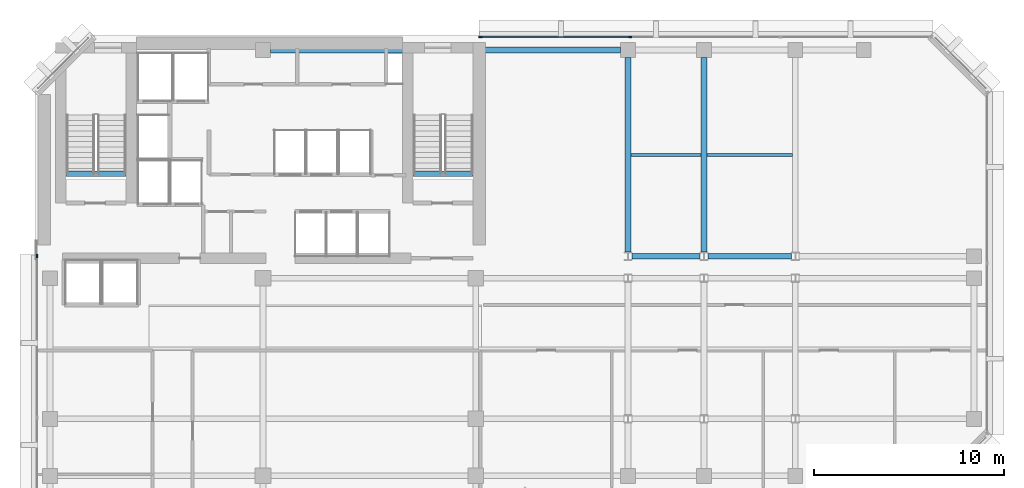
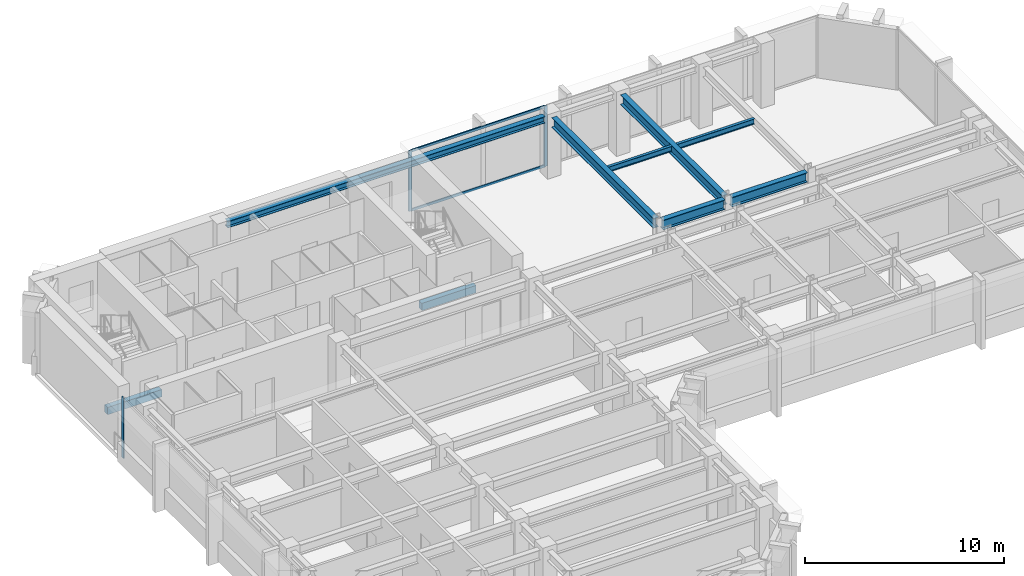
# One storey, part 4 of 11: 9 beams, 5 members, 2 elements without a shape of their own.
"""IFC4 building model written with IfcOpenShell, lengths in metres."""

from ifc_helpers import new_model, si_unit, direction, frame, origin, origin_2d, place, context, subcontext, project, spatial, rectangle, i_section, extrude, material, layer, layer_set, material_profile, profile_set, type_object, element, aggregate, save


model = new_model("IFC4")

# Units and contexts
model_context = context("Model", 3, precision=1e-05, world=origin(), true_north=direction((0.0, 1.0)))
body_context = subcontext(model_context, "Body", "Model", "MODEL_VIEW")
ifc_project = project(units=[si_unit("LENGTHUNIT", "METRE"), si_unit("AREAUNIT", "SQUARE_METRE"), si_unit("VOLUMEUNIT", "CUBIC_METRE"), si_unit("PLANEANGLEUNIT", "RADIAN"), si_unit("MASSUNIT", "GRAM", prefix="KILO")], contexts=[model_context])

# Site, building, storey
site_placement = place(None, origin())
site = spatial("IfcSite", under=ifc_project, at=site_placement, CompositionType="ELEMENT")
building_placement = place(site_placement, origin())
building = spatial("IfcBuilding", under=site, at=building_placement, Name="Kefirva Bronze Tower", CompositionType="ELEMENT")
storey_placement = place(building_placement, frame((0.0, 0.0, 191.39990234375)))
storey = spatial("IfcBuildingStorey", under=building, at=storey_placement, Name="L46", CompositionType="ELEMENT", Elevation=191.39990234375)

# Curtain wall, members
ifc_material_1 = material(Name="Bronze anodised aluminium", Category="aluminium")
ifc_layer = layer(ifc_material_1, 0.179931640625, Name="Bronze anodised aluminium")
ifc_layer_set = layer_set([ifc_layer], Name="Bronze anodised aluminium")
curtain_wall_type = type_object("IfcCurtainWallType", Name="Unitised Bronze Ribbon Curtain Wall Zone 3", PredefinedType="USERDEFINED", material=ifc_layer_set)
curtain_wall_1_placement = place(storey_placement, origin())
curtain_wall_1 = element("IfcCurtainWall", 1, at=curtain_wall_1_placement, inside=storey, type_object=curtain_wall_type, Name="L46 Curtain Wall 3", ObjectType="UNITISED CURTAIN WALL", PredefinedType="USERDEFINED")
ifc_material_profile_1 = material_profile(ifc_material_1, rectangle(XDim=0.074951171875, YDim=0.179931640625, at=origin_2d()), Name="ALU 75x180")
ifc_profile_set_1 = profile_set([ifc_material_profile_1], Name="Bronze anodised aluminium")
member_type_1 = type_object("IfcMemberType", Name="Bronze Mullion 75x180", PredefinedType="MULLION", material=ifc_profile_set_1)
member_1_placement = place(storey_placement, frame((31.318359375, 45.8798828125, 0.0), z_axis=(0.0, 0.0, 1.0), x_axis=(0.0, -1.0, 0.0)))
member_1 = element("IfcMember", 2, at=member_1_placement, type_object=member_type_1, Name="CW-03 mullion 3", PredefinedType="MULLION", context=body_context, shape_type="SweptSolid", body=[
    extrude(rectangle(XDim=0.074951171875, YDim=0.179931640625, at=origin_2d()), origin(), (0.0, 0.0, 1.0), 3.710205078125),
])
member_2_placement = place(storey_placement, frame((23.4423828125, 45.8798828125, 0.0), z_axis=(0.0, 0.0, 1.0), x_axis=(0.0, -1.0, 0.0)))
member_2 = element("IfcMember", 3, at=member_2_placement, type_object=member_type_1, Name="CW-03 mullion 4", PredefinedType="MULLION", context=body_context, shape_type="SweptSolid", body=[
    extrude(rectangle(XDim=0.074951171875, YDim=0.179931640625, at=origin_2d()), origin(), (0.0, 0.0, 1.0), 3.710205078125),
])

# Curtain wall, member
curtain_wall_2_placement = place(storey_placement, origin())
curtain_wall_2 = element("IfcCurtainWall", 4, at=curtain_wall_2_placement, inside=storey, type_object=curtain_wall_type, Name="L46 Curtain Wall 4", ObjectType="UNITISED CURTAIN WALL", PredefinedType="USERDEFINED")
member_3_placement = place(storey_placement, frame((0.1201171875, 34.357421875, 0.0), z_axis=(0.0, 0.0, 1.0), x_axis=(1.0, 0.0, 0.0)))
member_3 = element("IfcMember", 5, at=member_3_placement, type_object=member_type_1, Name="CW-03 mullion 1", PredefinedType="MULLION", context=body_context, shape_type="SweptSolid", body=[
    extrude(rectangle(XDim=0.074951171875, YDim=0.179931640625, at=origin_2d()), origin(), (0.0, 0.0, 1.0), 3.710205078125),
])
aggregate(curtain_wall_2, [member_3])

# Member
ifc_material_profile_2 = material_profile(ifc_material_1, rectangle(XDim=0.074951171875, YDim=0.14990234375, at=origin_2d()), Name="ALU 75x150")
ifc_profile_set_2 = profile_set([ifc_material_profile_2], Name="Bronze anodised aluminium")
member_type_2 = type_object("IfcMemberType", Name="Bronze Transom 75x150", PredefinedType="USERDEFINED", material=ifc_profile_set_2)
member_4_placement = place(storey_placement, frame((31.28076171875, 45.8798828125, 0.03759765625), z_axis=(-1.0, 0.0, 0.0), x_axis=(0.0, -1.0, 0.0)))
member_4 = element("IfcMember", 6, at=member_4_placement, type_object=member_type_2, Name="CW-03 transom 3.1", ObjectType="TRANSOM", PredefinedType="USERDEFINED", context=body_context, shape_type="SweptSolid", body=[
    extrude(rectangle(XDim=0.074951171875, YDim=0.14990234375, at=origin_2d()), origin(), (0.0, 0.0, 1.0), 7.80078125),
])

member_5_placement = place(storey_placement, frame((31.28076171875, 45.8798828125, 3.672607421875), z_axis=(-1.0, 0.0, 0.0), x_axis=(0.0, -1.0, 0.0)))
member_5 = element("IfcMember", 7, at=member_5_placement, type_object=member_type_2, Name="CW-03 transom 3.2", ObjectType="TRANSOM", PredefinedType="USERDEFINED", context=body_context, shape_type="SweptSolid", body=[
    extrude(rectangle(XDim=0.074951171875, YDim=0.14990234375, at=origin_2d()), origin(), (0.0, 0.0, 1.0), 7.80078125),
])

aggregate(curtain_wall_1, [member_1, member_2, member_4, member_5])

# Beams
ifc_material_2 = material(Name="Concrete C50/60", Category="concrete")
ifc_material_profile_3 = material_profile(ifc_material_2, rectangle(XDim=0.300048828125, YDim=0.449951171875, at=origin_2d()), Name="RC 300x450")
ifc_profile_set_3 = profile_set([ifc_material_profile_3], Name="Concrete C50/60")
beam_type_1 = type_object("IfcBeamType", Name="RC Stair Trimmer Beam 300x450", PredefinedType="BEAM", material=ifc_profile_set_3)
beam_1_placement = place(storey_placement, frame((1.64501953125, 38.699951171875, -0.224853515625), z_axis=(1.0, 0.0, 0.0), x_axis=(0.0, 1.0, 0.0)))
element("IfcBeam", 8, at=beam_1_placement, inside=storey, type_object=beam_type_1, Name="L46 Stair 1 Landing Trimmer Beam", PredefinedType="BEAM", context=body_context, shape_type="SweptSolid", body=[
    extrude(rectangle(XDim=0.300048828125, YDim=0.449951171875, at=origin_2d()), origin(), (0.0, 0.0, 1.0), 3.14990234375),
])
beam_2_placement = place(storey_placement, frame((19.89501953125, 38.699951171875, -0.224853515625), z_axis=(1.0, 0.0, 0.0), x_axis=(0.0, 1.0, 0.0)))
element("IfcBeam", 9, at=beam_2_placement, inside=storey, type_object=beam_type_1, Name="L46 Stair 2 Landing Trimmer Beam", PredefinedType="BEAM", context=body_context, shape_type="SweptSolid", body=[
    extrude(rectangle(XDim=0.300048828125, YDim=0.449951171875, at=origin_2d()), origin(), (0.0, 0.0, 1.0), 3.159912109375),
])
ifc_material_3 = material(Name="Steel S355", Category="steel")
ifc_material_profile_4 = material_profile(ifc_material_3, i_section(OverallWidth=0.159912109375, OverallDepth=0.330078125, WebThickness=0.007568359375, FlangeThickness=0.011474609375, at=origin_2d()), Name="IPE 330")
ifc_profile_set_4 = profile_set([ifc_material_profile_4], Name="Steel S355")
beam_type_2 = type_object("IfcBeamType", Name="Steel Floor Joist IPE 330", PredefinedType="JOIST", material=ifc_profile_set_4)
beam_3_placement = place(storey_placement, frame((31.35009765625, 39.688720703125, 3.545166015625), z_axis=(1.0, 0.0, 0.0), x_axis=(0.0, 1.0, 0.0)))
element("IfcBeam", 10, at=beam_3_placement, inside=storey, type_object=beam_type_2, Name="L46 JST-L46-31-396", PredefinedType="JOIST", context=body_context, shape_type="SweptSolid", body=[
    extrude(i_section(OverallWidth=0.159912109375, OverallDepth=0.330078125, WebThickness=0.007568359375, FlangeThickness=0.011474609375, at=origin_2d()), origin(), (0.0, 0.0, 1.0), 3.699951171875),
])
beam_4_placement = place(storey_placement, frame((35.35009765625, 39.688720703125, 3.545166015625), z_axis=(1.0, 0.0, 0.0), x_axis=(0.0, 1.0, 0.0)))
element("IfcBeam", 11, at=beam_4_placement, inside=storey, type_object=beam_type_2, Name="L46 JST-L46-35-396", PredefinedType="JOIST", context=body_context, shape_type="SweptSolid", body=[
    extrude(i_section(OverallWidth=0.159912109375, OverallDepth=0.330078125, WebThickness=0.007568359375, FlangeThickness=0.011474609375, at=origin_2d()), origin(), (0.0, 0.0, 1.0), 4.5),
])
ifc_material_profile_5 = material_profile(ifc_material_3, i_section(OverallWidth=0.300048828125, OverallDepth=0.60009765625, WebThickness=0.015380859375, FlangeThickness=0.030029296875, at=origin_2d()), Name="HEB 600")
ifc_profile_set_5 = profile_set([ifc_material_profile_5], Name="Steel S355")
beam_type_3 = type_object("IfcBeamType", Name="Steel Girder HEB 600", PredefinedType="USERDEFINED", material=ifc_profile_set_5)
beam_5_placement = place(storey_placement, frame((31.406005859375, 34.35009765625, 3.41015625), z_axis=(1.0, 0.0, 0.0), x_axis=(0.0, 1.0, 0.0)))
element("IfcBeam", 12, at=beam_5_placement, inside=storey, type_object=beam_type_3, Name="L46 BM-L46-EW-31-344", ObjectType="GIRDER", PredefinedType="USERDEFINED", context=body_context, shape_type="SweptSolid", body=[
    extrude(i_section(OverallWidth=0.300048828125, OverallDepth=0.60009765625, WebThickness=0.015380859375, FlangeThickness=0.030029296875, at=origin_2d()), origin(), (0.0, 0.0, 1.0), 3.587890625),
])
beam_6_placement = place(storey_placement, frame((35.406005859375, 34.35009765625, 3.41015625), z_axis=(1.0, 0.0, 0.0), x_axis=(0.0, 1.0, 0.0)))
element("IfcBeam", 13, at=beam_6_placement, inside=storey, type_object=beam_type_3, Name="L46 BM-L46-EW-35-344", ObjectType="GIRDER", PredefinedType="USERDEFINED", context=body_context, shape_type="SweptSolid", body=[
    extrude(i_section(OverallWidth=0.300048828125, OverallDepth=0.60009765625, WebThickness=0.015380859375, FlangeThickness=0.030029296875, at=origin_2d()), origin(), (0.0, 0.0, 1.0), 4.387939453125),
])
for number, where, z_axis, x_axis, name in (
    (14, (31.199951171875, 34.5673828125, 3.41015625), (0.0, 1.0, 0.0), (-1.0, 0.0, 0.0), "L46 BM-L46-NS-312-34"),
    (15, (35.199951171875, 34.5673828125, 3.41015625), (0.0, 1.0, 0.0), (-1.0, 0.0, 0.0), "L46 BM-L46-NS-352-34"),
):
    element("IfcBeam", number, at=place(storey_placement, frame(where, z_axis=z_axis, x_axis=x_axis)), inside=storey, type_object=beam_type_3, Name=name, ObjectType="GIRDER", PredefinedType="USERDEFINED", context=body_context, shape_type="SweptSolid", body=[
        extrude(i_section(OverallWidth=0.300048828125, OverallDepth=0.60009765625, WebThickness=0.015380859375, FlangeThickness=0.030029296875, at=origin_2d()), origin(), (0.0, 0.0, 1.0), 10.24267578125),
    ])
ifc_material_profile_6 = material_profile(ifc_material_3, i_section(OverallWidth=0.300048828125, OverallDepth=0.39990234375, WebThickness=0.013427734375, FlangeThickness=0.02392578125, at=origin_2d()), Name="HEB 400")
ifc_profile_set_6 = profile_set([ifc_material_profile_6], Name="Steel S355")
beam_type_4 = type_object("IfcBeamType", Name="Steel Spandrel HEB 400 Ext", PredefinedType="SPANDREL", material=ifc_profile_set_6)
beam_7_placement = place(storey_placement, frame((12.389892578125, 45.199951171875, 3.510009765625), z_axis=(1.0, 0.0, 0.0), x_axis=(0.0, 1.0, 0.0)))
element("IfcBeam", 16, at=beam_7_placement, inside=storey, type_object=beam_type_4, Name="L46 BM-L46-EW-12-452", PredefinedType="SPANDREL", context=body_context, shape_type="SweptSolid", body=[
    extrude(i_section(OverallWidth=0.300048828125, OverallDepth=0.39990234375, WebThickness=0.013427734375, FlangeThickness=0.02392578125, at=origin_2d()), origin(), (0.0, 0.0, 1.0), 18.420166015625),
])

save(model, "model.ifc")
